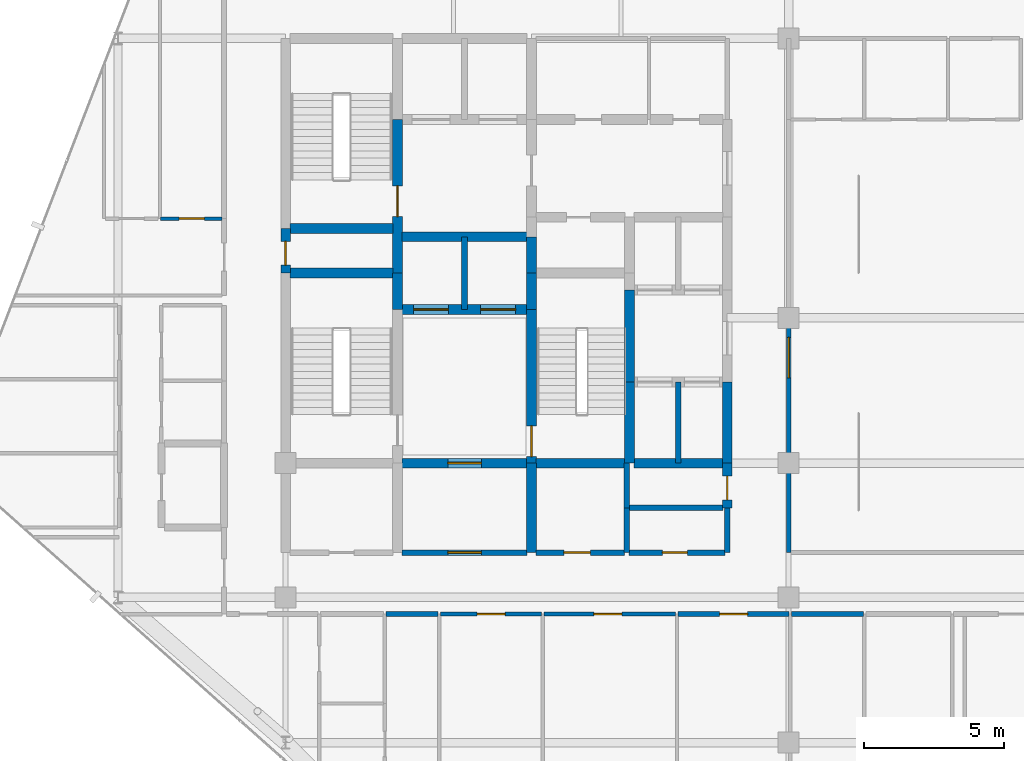
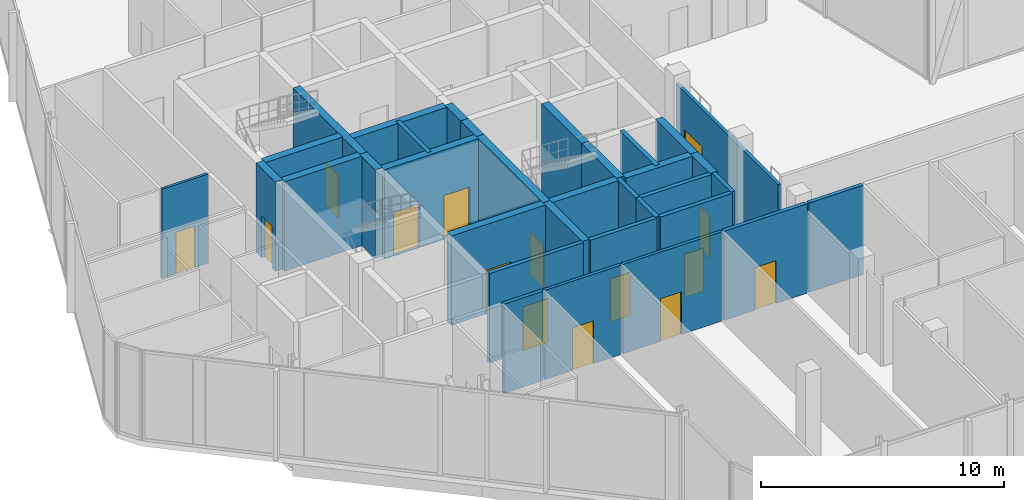
# One storey, part 24 of 29: 34 walls, 15 doors, 15 openings.
"""IFC4 building model written with IfcOpenShell, lengths in metres."""

from ifc_helpers import new_model, si_unit, direction, frame, frame_2d, origin, place, context, subcontext, project, spatial, rectangle, extrude, material, layer, layer_set, type_object, element, fill, save


model = new_model("IFC4")

# Units and contexts
model_context = context("Model", 3, precision=1e-05, world=origin(), true_north=direction((0.0, 1.0)))
body_context = subcontext(model_context, "Body", "Model", "MODEL_VIEW")
ifc_project = project(units=[si_unit("LENGTHUNIT", "METRE"), si_unit("AREAUNIT", "SQUARE_METRE"), si_unit("VOLUMEUNIT", "CUBIC_METRE"), si_unit("PLANEANGLEUNIT", "RADIAN"), si_unit("MASSUNIT", "GRAM", prefix="KILO")], contexts=[model_context])

# Site, building, storey
site_placement = place(None, origin())
site = spatial("IfcSite", under=ifc_project, at=site_placement, CompositionType="ELEMENT")
building_placement = place(site_placement, origin())
building = spatial("IfcBuilding", under=site, at=building_placement, Name="Keshet Zoharim Tower", CompositionType="ELEMENT")
storey_placement = place(building_placement, frame((0.0, 0.0, 218.0)))
storey = spatial("IfcBuildingStorey", under=building, at=storey_placement, Name="L54", CompositionType="ELEMENT", Elevation=218.0)

# Wall, opening, door
ifc_material_1 = material(Name="Gypsum Plasterboard", Category="gypsum")
ifc_layer_1 = layer(ifc_material_1, 0.14990234375)
ifc_layer_set_1 = layer_set([ifc_layer_1], Name="Gypsum Plasterboard")
wall_type_1 = type_object("IfcWallType", Name="WL-CLIN-150", PredefinedType="STANDARD", material=ifc_layer_set_1)
wall_1_placement = place(storey_placement, frame((33.0, 19.5, 0.0), z_axis=(0.0, 0.0, 1.0), x_axis=(0.0, 1.0, 0.0)))
wall_1 = element("IfcWall", 1, at=wall_1_placement, inside=storey, type_object=wall_type_1, Name="L54 Interior Wall 067", PredefinedType="STANDARD", context=body_context, shape_type="SweptSolid", body=[
    extrude(rectangle(XDim=8.39990234375, YDim=0.14990234375, at=frame_2d((4.199951171875, 0.0))), origin(), (0.0, 0.0, 1.0), 4.090087890625),
])
opening_1_placement = place(wall_1_placement, frame((6.2490234375, 0.0, 0.0)))
opening_1 = element("IfcOpeningElement", 2, at=opening_1_placement, cuts=wall_1, Name="Opening D-F314", PredefinedType="OPENING", context=body_context, shape_type="SweptSolid", body=[
    extrude(rectangle(XDim=1.449951171875, YDim=2.199951171875, at=frame_2d((0.72509765625, 1.10009765625))), frame((0.0, 0.0849609375, 0.0), z_axis=(0.0, -1.0, 0.0), x_axis=(1.0, 0.0, 0.0)), (0.0, 0.0, 1.0), 0.169921875),
])
ifc_material_2 = material(Name="Hardwood Timber", Category="wood")
door_type_1 = type_object("IfcDoorType", Name="DR-FD30-145", OperationType="DOUBLE_DOOR_SINGLE_SWING", PredefinedType="DOOR", material=ifc_material_2)
door_1_placement = place(opening_1_placement, origin())
door_1 = element("IfcDoor", 3, at=door_1_placement, inside=storey, type_object=door_type_1, Name="L54 Sky Transfer Lobby Entrance Door", OperationType="DOUBLE_DOOR_SINGLE_SWING", OverallHeight=2.199951171875, OverallWidth=1.449951171875, PredefinedType="DOOR", context=body_context, shape_type="SweptSolid", body=[
    extrude(rectangle(XDim=1.449951171875, YDim=2.199951171875, at=frame_2d((0.72509765625, 1.10009765625))), frame((0.0, 0.02490234375, 0.0), z_axis=(0.0, -1.0, 0.0), x_axis=(1.0, 0.0, 0.0)), (0.0, 0.0, 1.0), 0.050048828125),
])
fill(opening_1, door_1)

wall_2_placement = place(storey_placement, frame((20.544921875, 17.300048828125, 0.0), z_axis=(0.0, 0.0, 1.0), x_axis=(1.0, 0.0, 0.0)))
wall_2 = element("IfcWall", 4, at=wall_2_placement, inside=storey, type_object=wall_type_1, Name="L54 Interior Wall 110", PredefinedType="STANDARD", context=body_context, shape_type="SweptSolid", body=[
    extrude(rectangle(XDim=3.610107421875, YDim=0.14990234375, at=frame_2d((1.80517578125, 0.0))), origin(), (0.0, 0.0, 1.0), 4.489990234375),
])
opening_2_placement = place(wall_2_placement, frame((1.304931640625, 0.0, 0.0)))
opening_2 = element("IfcOpeningElement", 5, at=opening_2_placement, cuts=wall_2, Name="Opening D-F310", PredefinedType="OPENING", context=body_context, shape_type="SweptSolid", body=[
    extrude(rectangle(XDim=1.0, YDim=2.14990234375, at=frame_2d((0.5, 1.074951171875))), frame((0.0, 0.0849609375, 0.0), z_axis=(0.0, -1.0, 0.0), x_axis=(1.0, 0.0, 0.0)), (0.0, 0.0, 1.0), 0.169921875),
])
door_type_2 = type_object("IfcDoorType", Name="DR-FD30-100", OperationType="NOTDEFINED", PredefinedType="DOOR", material=ifc_material_2)
door_2_placement = place(opening_2_placement, origin())
door_2 = element("IfcDoor", 6, at=door_2_placement, inside=storey, type_object=door_type_2, Name="L54 Quiet Telework Office Door", OperationType="SINGLE_SWING_LEFT", OverallHeight=2.14990234375, OverallWidth=1.0, PredefinedType="DOOR", context=body_context, shape_type="SweptSolid", body=[
    extrude(rectangle(XDim=1.0, YDim=2.14990234375, at=frame_2d((0.5, 1.074951171875))), frame((0.0, 0.02490234375, 0.0), z_axis=(0.0, -1.0, 0.0), x_axis=(1.0, 0.0, 0.0)), (0.0, 0.0, 1.0), 0.050048828125),
])
fill(opening_2, door_2)

wall_3_placement = place(storey_placement, frame((24.2451171875, 17.300048828125, 0.0), z_axis=(0.0, 0.0, 1.0), x_axis=(1.0, 0.0, 0.0)))
wall_3 = element("IfcWall", 7, at=wall_3_placement, inside=storey, type_object=wall_type_1, Name="L54 Interior Wall 111", PredefinedType="STANDARD", context=body_context, shape_type="SweptSolid", body=[
    extrude(rectangle(XDim=4.7099609375, YDim=0.14990234375, at=frame_2d((2.35498046875, 0.0))), origin(), (0.0, 0.0, 1.0), 4.489990234375),
])
opening_3_placement = place(wall_3_placement, frame((1.781982421875, 0.0, 0.0)))
opening_3 = element("IfcOpeningElement", 8, at=opening_3_placement, cuts=wall_3, Name="Opening D-F310", PredefinedType="OPENING", context=body_context, shape_type="SweptSolid", body=[
    extrude(rectangle(XDim=1.0, YDim=2.14990234375, at=frame_2d((0.5, 1.074951171875))), frame((0.0, 0.0849609375, 0.0), z_axis=(0.0, -1.0, 0.0), x_axis=(1.0, 0.0, 0.0)), (0.0, 0.0, 1.0), 0.169921875),
])
door_3_placement = place(opening_3_placement, origin())
door_3 = element("IfcDoor", 9, at=door_3_placement, inside=storey, type_object=door_type_2, Name="L54 Residents Game Lounge Door", OperationType="SINGLE_SWING_RIGHT", OverallHeight=2.14990234375, OverallWidth=1.0, PredefinedType="DOOR", context=body_context, shape_type="SweptSolid", body=[
    extrude(rectangle(XDim=1.0, YDim=2.14990234375, at=frame_2d((0.5, 1.074951171875))), frame((0.0, 0.02490234375, 0.0), z_axis=(0.0, -1.0, 0.0), x_axis=(1.0, 0.0, 0.0)), (0.0, 0.0, 1.0), 0.050048828125),
])
fill(opening_3, door_3)

ifc_material_3 = material(Name="Concrete C60/75", Category="concrete")
ifc_layer_2 = layer(ifc_material_3, 0.35009765625)
ifc_layer_set_2 = layer_set([ifc_layer_2], Name="Concrete C60/75")
wall_type_2 = type_object("IfcWallType", Name="WL-CORE-350", PredefinedType="SHEAR", material=ifc_layer_set_2)
wall_4_placement = place(storey_placement, frame((15.0, 29.5, 0.0), z_axis=(0.0, 0.0, 1.0), x_axis=(0.0, 1.0, 0.0)))
wall_4 = element("IfcWall", 10, at=wall_4_placement, inside=storey, type_object=wall_type_2, Name="L54 Core Shear Wall 015", PredefinedType="SHEAR", context=body_context, shape_type="SweptSolid", body=[
    extrude(rectangle(XDim=1.60009765625, YDim=0.35009765625, at=frame_2d((0.800048828125, 0.0))), origin(), (0.0, 0.0, 1.0), 4.489990234375),
])
opening_4_placement = place(wall_4_placement, frame((0.287109375, 0.0, 0.0)))
opening_4 = element("IfcOpeningElement", 11, at=opening_4_placement, cuts=wall_4, Name="Opening D-RS85", PredefinedType="OPENING", context=body_context, shape_type="SweptSolid", body=[
    extrude(rectangle(XDim=0.85009765625, YDim=2.10009765625, at=frame_2d((0.425048828125, 1.050048828125))), frame((0.0, 0.18505859375, 0.0), z_axis=(0.0, -1.0, 0.0), x_axis=(1.0, 0.0, 0.0)), (0.0, 0.0, 1.0), 0.3701171875),
])
door_type_3 = type_object("IfcDoorType", Name="DR-RIS-085", OperationType="NOTDEFINED", PredefinedType="DOOR", material=ifc_material_2)
door_4_placement = place(opening_4_placement, origin())
door_4 = element("IfcDoor", 12, at=door_4_placement, inside=storey, type_object=door_type_3, Name="L54 Electrical Riser Access Cupboard Door", OperationType="SINGLE_SWING_RIGHT", OverallHeight=2.10009765625, OverallWidth=0.85009765625, PredefinedType="DOOR", context=body_context, shape_type="SweptSolid", body=[
    extrude(rectangle(XDim=0.85009765625, YDim=2.10009765625, at=frame_2d((0.425048828125, 1.050048828125))), frame((0.0, 0.02490234375, 0.0), z_axis=(0.0, -1.0, 0.0), x_axis=(1.0, 0.0, 0.0)), (0.0, 0.0, 1.0), 0.050048828125),
])
fill(opening_4, door_4)

# Wall
wall_5_placement = place(storey_placement, frame((19.0, 28.199951171875, 0.0), z_axis=(0.0, 0.0, 1.0), x_axis=(0.0, 1.0, 0.0)))
element("IfcWall", 13, at=wall_5_placement, inside=storey, type_object=wall_type_2, Name="L54 Core Shear Wall 025", PredefinedType="SHEAR", context=body_context, shape_type="SweptSolid", body=[
    extrude(rectangle(XDim=1.300048828125, YDim=0.35009765625, at=frame_2d((0.64990234375, 0.0))), origin(), (0.0, 0.0, 1.0), 4.489990234375),
])

# Wall, opening, door
wall_6_placement = place(storey_placement, frame((19.0, 29.5, 0.0), z_axis=(0.0, 0.0, 1.0), x_axis=(0.0, 1.0, 0.0)))
wall_6 = element("IfcWall", 14, at=wall_6_placement, inside=storey, type_object=wall_type_2, Name="L54 Core Shear Wall 026", PredefinedType="SHEAR", context=body_context, shape_type="SweptSolid", body=[
    extrude(rectangle(XDim=5.5, YDim=0.35009765625, at=frame_2d((2.75, 0.0))), origin(), (0.0, 0.0, 1.0), 4.489990234375),
])
opening_5_placement = place(wall_6_placement, frame((2.02490234375, 0.0, 0.0)))
opening_5 = element("IfcOpeningElement", 15, at=opening_5_placement, cuts=wall_6, Name="Opening D-F611", PredefinedType="OPENING", context=body_context, shape_type="SweptSolid", body=[
    extrude(rectangle(XDim=1.10009765625, YDim=2.14990234375, at=frame_2d((0.550048828125, 1.074951171875))), frame((0.0, 0.18505859375, 0.0), z_axis=(0.0, -1.0, 0.0), x_axis=(1.0, 0.0, 0.0)), (0.0, 0.0, 1.0), 0.3701171875),
])
door_type_4 = type_object("IfcDoorType", Name="DR-FD60-110", OperationType="NOTDEFINED", PredefinedType="DOOR", material=ifc_material_2)
door_5_placement = place(opening_5_placement, origin())
door_5 = element("IfcDoor", 16, at=door_5_placement, inside=storey, type_object=door_type_4, Name="L54 Exit Stair ST-02 Fire Door", OperationType="SINGLE_SWING_LEFT", OverallHeight=2.14990234375, OverallWidth=1.10009765625, PredefinedType="DOOR", context=body_context, shape_type="SweptSolid", body=[
    extrude(rectangle(XDim=1.10009765625, YDim=2.14990234375, at=frame_2d((0.550048828125, 1.074951171875))), frame((0.0, 0.02490234375, 0.0), z_axis=(0.0, -1.0, 0.0), x_axis=(1.0, 0.0, 0.0)), (0.0, 0.0, 1.0), 0.050048828125),
])
fill(opening_5, door_5)

# Wall
wall_7_placement = place(storey_placement, frame((23.800048828125, 19.5, 0.0), z_axis=(0.0, 0.0, 1.0), x_axis=(0.0, 1.0, 0.0)))
element("IfcWall", 17, at=wall_7_placement, inside=storey, type_object=wall_type_2, Name="L54 Core Shear Wall 034", PredefinedType="SHEAR", context=body_context, shape_type="SweptSolid", body=[
    extrude(rectangle(XDim=3.199951171875, YDim=0.35009765625, at=frame_2d((1.60009765625, 0.0))), origin(), (0.0, 0.0, 1.0), 4.489990234375),
])

# Wall, opening, door
wall_8_placement = place(storey_placement, frame((23.800048828125, 22.699951171875, 0.0), z_axis=(0.0, 0.0, 1.0), x_axis=(0.0, 1.0, 0.0)))
wall_8 = element("IfcWall", 18, at=wall_8_placement, inside=storey, type_object=wall_type_2, Name="L54 Core Shear Wall 035", PredefinedType="SHEAR", context=body_context, shape_type="SweptSolid", body=[
    extrude(rectangle(XDim=5.5, YDim=0.35009765625, at=frame_2d((2.75, 0.0))), origin(), (0.0, 0.0, 1.0), 4.489990234375),
])
opening_6_placement = place(wall_8_placement, frame((0.235107421875, 0.0, 0.0)))
opening_6 = element("IfcOpeningElement", 19, at=opening_6_placement, cuts=wall_8, Name="Opening D-F611", PredefinedType="OPENING", context=body_context, shape_type="SweptSolid", body=[
    extrude(rectangle(XDim=1.10009765625, YDim=2.14990234375, at=frame_2d((0.550048828125, 1.074951171875))), frame((0.0, 0.18505859375, 0.0), z_axis=(0.0, -1.0, 0.0), x_axis=(1.0, 0.0, 0.0)), (0.0, 0.0, 1.0), 0.3701171875),
])
door_6_placement = place(opening_6_placement, frame((1.10009765625, 0.0, 0.0), z_axis=(0.0, 0.0, 1.0), x_axis=(-1.0, 0.0, 0.0)))
door_6 = element("IfcDoor", 20, at=door_6_placement, inside=storey, type_object=door_type_4, Name="L54 Exit Stair ST-03 Fire Door", OperationType="SINGLE_SWING_LEFT", OverallHeight=2.14990234375, OverallWidth=1.10009765625, PredefinedType="DOOR", context=body_context, shape_type="SweptSolid", body=[
    extrude(rectangle(XDim=1.10009765625, YDim=2.14990234375, at=frame_2d((0.550048828125, 1.074951171875))), frame((0.0, 0.02490234375, 0.0), z_axis=(0.0, -1.0, 0.0), x_axis=(1.0, 0.0, 0.0)), (0.0, 0.0, 1.0), 0.050048828125),
])
fill(opening_6, door_6)

# Walls
for number, where, z_axis, x_axis, name in (
    (21, (23.800048828125, 28.199951171875, 0.0), (0.0, 0.0, 1.0), (0.0, 1.0, 0.0), "L54 Core Shear Wall 036"),
    (22, (23.800048828125, 29.5, 0.0), (0.0, 0.0, 1.0), (0.0, 1.0, 0.0), "L54 Core Shear Wall 037"),
):
    element("IfcWall", number, at=place(storey_placement, frame(where, z_axis=z_axis, x_axis=x_axis)), inside=storey, type_object=wall_type_2, Name=name, PredefinedType="SHEAR", context=body_context, shape_type="SweptSolid", body=[
        extrude(rectangle(XDim=1.300048828125, YDim=0.35009765625, at=frame_2d((0.64990234375, 0.0))), origin(), (0.0, 0.0, 1.0), 4.489990234375),
    ])
wall_9_placement = place(storey_placement, frame((27.300048828125, 22.699951171875, 0.0), z_axis=(0.0, 0.0, 1.0), x_axis=(0.0, 1.0, 0.0)))
element("IfcWall", 23, at=wall_9_placement, inside=storey, type_object=wall_type_2, Name="L54 Core Shear Wall 047", PredefinedType="SHEAR", context=body_context, shape_type="SweptSolid", body=[
    extrude(rectangle(XDim=2.900146484375, YDim=0.35009765625, at=frame_2d((1.4501953125, 0.0))), origin(), (0.0, 0.0, 1.0), 4.489990234375),
])
wall_10_placement = place(storey_placement, frame((27.300048828125, 25.60009765625, 0.0), z_axis=(0.0, 0.0, 1.0), x_axis=(0.0, 1.0, 0.0)))
element("IfcWall", 24, at=wall_10_placement, inside=storey, type_object=wall_type_2, Name="L54 Core Shear Wall 048", PredefinedType="SHEAR", context=body_context, shape_type="SweptSolid", body=[
    extrude(rectangle(XDim=3.2998046875, YDim=0.35009765625, at=frame_2d((1.64990234375, 0.0))), origin(), (0.0, 0.0, 1.0), 4.489990234375),
])

# Wall, opening, door
wall_11_placement = place(storey_placement, frame((30.800048828125, 21.10009765625, 0.0), z_axis=(0.0, 0.0, 1.0), x_axis=(0.0, 1.0, 0.0)))
wall_11 = element("IfcWall", 25, at=wall_11_placement, inside=storey, type_object=wall_type_2, Name="L54 Core Shear Wall 058", PredefinedType="SHEAR", context=body_context, shape_type="SweptSolid", body=[
    extrude(rectangle(XDim=1.599853515625, YDim=0.35009765625, at=frame_2d((0.7998046875, 0.0))), origin(), (0.0, 0.0, 1.0), 4.489990234375),
])
opening_7_placement = place(wall_11_placement, frame((0.287109375, 0.0, 0.0)))
opening_7 = element("IfcOpeningElement", 26, at=opening_7_placement, cuts=wall_11, Name="Opening D-RS85", PredefinedType="OPENING", context=body_context, shape_type="SweptSolid", body=[
    extrude(rectangle(XDim=0.85009765625, YDim=2.10009765625, at=frame_2d((0.425048828125, 1.050048828125))), frame((0.0, 0.18505859375, 0.0), z_axis=(0.0, -1.0, 0.0), x_axis=(1.0, 0.0, 0.0)), (0.0, 0.0, 1.0), 0.3701171875),
])
door_7_placement = place(opening_7_placement, origin())
door_7 = element("IfcDoor", 27, at=door_7_placement, inside=storey, type_object=door_type_3, Name="L54 Linen Store Door", OperationType="SINGLE_SWING_LEFT", OverallHeight=2.10009765625, OverallWidth=0.85009765625, PredefinedType="DOOR", context=body_context, shape_type="SweptSolid", body=[
    extrude(rectangle(XDim=0.85009765625, YDim=2.10009765625, at=frame_2d((0.425048828125, 1.050048828125))), frame((0.0, 0.02490234375, 0.0), z_axis=(0.0, -1.0, 0.0), x_axis=(1.0, 0.0, 0.0)), (0.0, 0.0, 1.0), 0.050048828125),
])
fill(opening_7, door_7)

# Wall
wall_12_placement = place(storey_placement, frame((30.800048828125, 22.699951171875, 0.0), z_axis=(0.0, 0.0, 1.0), x_axis=(0.0, 1.0, 0.0)))
element("IfcWall", 28, at=wall_12_placement, inside=storey, type_object=wall_type_2, Name="L54 Core Shear Wall 059", PredefinedType="SHEAR", context=body_context, shape_type="SweptSolid", body=[
    extrude(rectangle(XDim=2.900146484375, YDim=0.35009765625, at=frame_2d((1.4501953125, 0.0))), origin(), (0.0, 0.0, 1.0), 4.489990234375),
])

# Wall, opening, door
wall_13_placement = place(storey_placement, frame((19.159912109375, 22.699951171875, 0.0), z_axis=(0.0, 0.0, 1.0), x_axis=(1.0, 0.0, 0.0)))
wall_13 = element("IfcWall", 29, at=wall_13_placement, inside=storey, type_object=wall_type_2, Name="L54 Core Shear Wall 129", PredefinedType="SHEAR", context=body_context, shape_type="SweptSolid", body=[
    extrude(rectangle(XDim=4.47998046875, YDim=0.35009765625, at=frame_2d((2.239990234375, 0.0))), origin(), (0.0, 0.0, 1.0), 4.489990234375),
])
opening_8_placement = place(wall_13_placement, frame((1.639892578125, 0.0, 0.0)))
opening_8 = element("IfcOpeningElement", 30, at=opening_8_placement, cuts=wall_13, Name="Opening D-F612", PredefinedType="OPENING", context=body_context, shape_type="SweptSolid", body=[
    extrude(rectangle(XDim=1.199951171875, YDim=2.199951171875, at=frame_2d((0.60009765625, 1.10009765625))), frame((0.0, 0.18505859375, 0.0), z_axis=(0.0, -1.0, 0.0), x_axis=(1.0, 0.0, 0.0)), (0.0, 0.0, 1.0), 0.3701171875),
])
door_type_5 = type_object("IfcDoorType", Name="DR-FD60-120", OperationType="NOTDEFINED", PredefinedType="DOOR", material=ifc_material_2)
door_8_placement = place(opening_8_placement, origin())
door_8 = element("IfcDoor", 31, at=door_8_placement, inside=storey, type_object=door_type_5, Name="L54 South Core Lobby Fire Door", OperationType="SINGLE_SWING_RIGHT", OverallHeight=2.199951171875, OverallWidth=1.199951171875, PredefinedType="DOOR", context=body_context, shape_type="SweptSolid", body=[
    extrude(rectangle(XDim=1.199951171875, YDim=2.199951171875, at=frame_2d((0.60009765625, 1.10009765625))), frame((0.0, 0.02490234375, 0.0), z_axis=(0.0, -1.0, 0.0), x_axis=(1.0, 0.0, 0.0)), (0.0, 0.0, 1.0), 0.050048828125),
])
fill(opening_8, door_8)

# Walls
wall_14_placement = place(storey_placement, frame((23.9599609375, 22.699951171875, 0.0), z_axis=(0.0, 0.0, 1.0), x_axis=(1.0, 0.0, 0.0)))
element("IfcWall", 32, at=wall_14_placement, inside=storey, type_object=wall_type_2, Name="L54 Core Shear Wall 130", PredefinedType="SHEAR", context=body_context, shape_type="SweptSolid", body=[
    extrude(rectangle(XDim=3.155029296875, YDim=0.35009765625, at=frame_2d((1.57763671875, 0.0))), origin(), (0.0, 0.0, 1.0), 4.489990234375),
])
wall_15_placement = place(storey_placement, frame((27.4599609375, 22.699951171875, 0.0), z_axis=(0.0, 0.0, 1.0), x_axis=(1.0, 0.0, 0.0)))
element("IfcWall", 33, at=wall_15_placement, inside=storey, type_object=wall_type_2, Name="L54 Core Shear Wall 131", PredefinedType="SHEAR", context=body_context, shape_type="SweptSolid", body=[
    extrude(rectangle(XDim=3.179931640625, YDim=0.35009765625, at=frame_2d((1.58984375, 0.0))), origin(), (0.0, 0.0, 1.0), 4.489990234375),
])

# Wall, openings, doors
wall_16_placement = place(storey_placement, frame((19.159912109375, 28.199951171875, 0.0), z_axis=(0.0, 0.0, 1.0), x_axis=(1.0, 0.0, 0.0)))
wall_16 = element("IfcWall", 34, at=wall_16_placement, inside=storey, type_object=wall_type_2, Name="L54 Core Shear Wall 137", PredefinedType="SHEAR", context=body_context, shape_type="SweptSolid", body=[
    extrude(rectangle(XDim=4.47998046875, YDim=0.35009765625, at=frame_2d((2.239990234375, 0.0))), origin(), (0.0, 0.0, 1.0), 4.489990234375),
])
opening_9_placement = place(wall_16_placement, frame((0.4150390625, 0.0, 0.0)))
opening_9 = element("IfcOpeningElement", 35, at=opening_9_placement, cuts=wall_16, Name="Opening LD-01", PredefinedType="OPENING", context=body_context, shape_type="SweptSolid", body=[
    extrude(rectangle(XDim=1.25, YDim=2.199951171875, at=frame_2d((0.625, 1.10009765625))), frame((0.0, 0.18505859375, 0.0), z_axis=(0.0, -1.0, 0.0), x_axis=(1.0, 0.0, 0.0)), (0.0, 0.0, 1.0), 0.3701171875),
])
opening_10_placement = place(wall_16_placement, frame((2.81494140625, 0.0, 0.0)))
opening_10 = element("IfcOpeningElement", 36, at=opening_10_placement, cuts=wall_16, Name="Opening LD-01", PredefinedType="OPENING", context=body_context, shape_type="SweptSolid", body=[
    extrude(rectangle(XDim=1.25, YDim=2.199951171875, at=frame_2d((0.625, 1.10009765625))), frame((0.0, 0.18505859375, 0.0), z_axis=(0.0, -1.0, 0.0), x_axis=(1.0, 0.0, 0.0)), (0.0, 0.0, 1.0), 0.3701171875),
])
ifc_material_4 = material(Name="Steel S355", Category="steel")
door_type_6 = type_object("IfcDoorType", Name="DR-LD01-125", OperationType="DOUBLE_DOOR_SLIDING", PredefinedType="DOOR", material=ifc_material_4)
door_9_placement = place(opening_9_placement, origin())
door_9 = element("IfcDoor", 37, at=door_9_placement, inside=storey, type_object=door_type_6, Name="L54 Passenger Lift Landing Door LF-09", OperationType="DOUBLE_DOOR_SLIDING", OverallHeight=2.199951171875, OverallWidth=1.25, PredefinedType="DOOR", context=body_context, shape_type="SweptSolid", body=[
    extrude(rectangle(XDim=1.25, YDim=2.199951171875, at=frame_2d((0.625, 1.10009765625))), frame((0.0, 0.02490234375, 0.0), z_axis=(0.0, -1.0, 0.0), x_axis=(1.0, 0.0, 0.0)), (0.0, 0.0, 1.0), 0.050048828125),
])
fill(opening_9, door_9)
door_10_placement = place(opening_10_placement, origin())
door_10 = element("IfcDoor", 38, at=door_10_placement, inside=storey, type_object=door_type_6, Name="L54 Passenger Lift Landing Door LF-10", OperationType="DOUBLE_DOOR_SLIDING", OverallHeight=2.199951171875, OverallWidth=1.25, PredefinedType="DOOR", context=body_context, shape_type="SweptSolid", body=[
    extrude(rectangle(XDim=1.25, YDim=2.199951171875, at=frame_2d((0.625, 1.10009765625))), frame((0.0, 0.02490234375, 0.0), z_axis=(0.0, -1.0, 0.0), x_axis=(1.0, 0.0, 0.0)), (0.0, 0.0, 1.0), 0.050048828125),
])
fill(opening_10, door_10)

# Walls
wall_17_placement = place(storey_placement, frame((15.159912109375, 29.5, 0.0), z_axis=(0.0, 0.0, 1.0), x_axis=(1.0, 0.0, 0.0)))
element("IfcWall", 39, at=wall_17_placement, inside=storey, type_object=wall_type_2, Name="L54 Core Shear Wall 143", PredefinedType="SHEAR", context=body_context, shape_type="SweptSolid", body=[
    extrude(rectangle(XDim=3.68017578125, YDim=0.35009765625, at=frame_2d((1.840087890625, 0.0))), origin(), (0.0, 0.0, 1.0), 4.489990234375),
])
wall_18_placement = place(storey_placement, frame((19.159912109375, 30.800048828125, 0.0), z_axis=(0.0, 0.0, 1.0), x_axis=(1.0, 0.0, 0.0)))
element("IfcWall", 40, at=wall_18_placement, inside=storey, type_object=wall_type_2, Name="L54 Core Shear Wall 145", PredefinedType="SHEAR", context=body_context, shape_type="SweptSolid", body=[
    extrude(rectangle(XDim=4.47998046875, YDim=0.35009765625, at=frame_2d((2.239990234375, 0.0))), origin(), (0.0, 0.0, 1.0), 4.489990234375),
])
wall_19_placement = place(storey_placement, frame((15.159912109375, 31.10009765625, 0.0), z_axis=(0.0, 0.0, 1.0), x_axis=(1.0, 0.0, 0.0)))
element("IfcWall", 41, at=wall_19_placement, inside=storey, type_object=wall_type_2, Name="L54 Core Shear Wall 146", PredefinedType="SHEAR", context=body_context, shape_type="SweptSolid", body=[
    extrude(rectangle(XDim=3.68017578125, YDim=0.35009765625, at=frame_2d((1.840087890625, 0.0))), origin(), (0.0, 0.0, 1.0), 4.489990234375),
])
ifc_layer_3 = layer(ifc_material_1, 0.179931640625)
ifc_layer_set_3 = layer_set([ifc_layer_3], Name="Gypsum Plasterboard")
wall_type_3 = type_object("IfcWallType", Name="WL-CORR-180", PredefinedType="STANDARD", material=ifc_layer_set_3)
wall_20_placement = place(storey_placement, frame((18.594970703125, 17.300048828125, 0.0), z_axis=(0.0, 0.0, 1.0), x_axis=(1.0, 0.0, 0.0)))
element("IfcWall", 42, at=wall_20_placement, inside=storey, type_object=wall_type_3, Name="L54 Interior Wall 109", PredefinedType="STANDARD", context=body_context, shape_type="SweptSolid", body=[
    extrude(rectangle(XDim=1.860107421875, YDim=0.179931640625, at=frame_2d((0.93017578125, 0.0))), origin(), (0.0, 0.0, 1.0), 4.489990234375),
])

# Wall, opening, door
wall_21_placement = place(storey_placement, frame((29.044921875, 17.300048828125, 0.0), z_axis=(0.0, 0.0, 1.0), x_axis=(1.0, 0.0, 0.0)))
wall_21 = element("IfcWall", 43, at=wall_21_placement, inside=storey, type_object=wall_type_3, Name="L54 Interior Wall 112", PredefinedType="STANDARD", context=body_context, shape_type="SweptSolid", body=[
    extrude(rectangle(XDim=3.9599609375, YDim=0.179931640625, at=frame_2d((1.97998046875, 0.0))), origin(), (0.0, 0.0, 1.0), 4.489990234375),
])
opening_11_placement = place(wall_21_placement, frame((1.47998046875, 0.0, 0.0)))
opening_11 = element("IfcOpeningElement", 44, at=opening_11_placement, cuts=wall_21, Name="Opening D-F310", PredefinedType="OPENING", context=body_context, shape_type="SweptSolid", body=[
    extrude(rectangle(XDim=1.0, YDim=2.14990234375, at=frame_2d((0.5, 1.074951171875))), frame((0.0, 0.10009765625, 0.0), z_axis=(0.0, -1.0, 0.0), x_axis=(1.0, 0.0, 0.0)), (0.0, 0.0, 1.0), 0.199951171875),
])
door_11_placement = place(opening_11_placement, origin())
door_11 = element("IfcDoor", 45, at=door_11_placement, inside=storey, type_object=door_type_2, Name="Apartment 5402 Entrance Door", OperationType="SINGLE_SWING_LEFT", OverallHeight=2.14990234375, OverallWidth=1.0, PredefinedType="DOOR", context=body_context, shape_type="SweptSolid", body=[
    extrude(rectangle(XDim=1.0, YDim=2.14990234375, at=frame_2d((0.5, 1.074951171875))), frame((0.0, 0.02490234375, 0.0), z_axis=(0.0, -1.0, 0.0), x_axis=(1.0, 0.0, 0.0)), (0.0, 0.0, 1.0), 0.050048828125),
])
fill(opening_11, door_11)

# Walls
wall_22_placement = place(storey_placement, frame((33.094970703125, 17.300048828125, 0.0), z_axis=(0.0, 0.0, 1.0), x_axis=(1.0, 0.0, 0.0)))
element("IfcWall", 46, at=wall_22_placement, inside=storey, type_object=wall_type_3, Name="L54 Interior Wall 113", PredefinedType="STANDARD", context=body_context, shape_type="SweptSolid", body=[
    extrude(rectangle(XDim=2.578125, YDim=0.179931640625, at=frame_2d((1.2890625, 0.0))), origin(), (0.0, 0.0, 1.0), 4.489990234375),
])
ifc_material_5 = material(Name="Concrete C50/60", Category="concrete")
ifc_layer_4 = layer(ifc_material_5, 0.199951171875)
ifc_layer_set_4 = layer_set([ifc_layer_4], Name="Concrete C50/60")
wall_type_4 = type_object("IfcWallType", Name="WL-FIRE-200", PredefinedType="STANDARD", material=ifc_layer_set_4)
wall_23_placement = place(storey_placement, frame((21.39990234375, 28.199951171875, 0.0), z_axis=(0.0, 0.0, 1.0), x_axis=(0.0, 1.0, 0.0)))
element("IfcWall", 47, at=wall_23_placement, inside=storey, type_object=wall_type_4, Name="L54 Interior Wall 031", PredefinedType="STANDARD", context=body_context, shape_type="SweptSolid", body=[
    extrude(rectangle(XDim=2.60009765625, YDim=0.199951171875, at=frame_2d((1.300048828125, 0.0))), origin(), (0.0, 0.0, 1.0), 4.489990234375),
])
wall_24_placement = place(storey_placement, frame((27.199951171875, 19.5, 0.0), z_axis=(0.0, 0.0, 1.0), x_axis=(0.0, 1.0, 0.0)))
element("IfcWall", 48, at=wall_24_placement, inside=storey, type_object=wall_type_4, Name="L54 Interior Wall 045", PredefinedType="STANDARD", context=body_context, shape_type="SweptSolid", body=[
    extrude(rectangle(XDim=1.60009765625, YDim=0.199951171875, at=frame_2d((0.800048828125, 0.0))), origin(), (0.0, 0.0, 1.0), 4.489990234375),
])
wall_25_placement = place(storey_placement, frame((27.199951171875, 21.10009765625, 0.0), z_axis=(0.0, 0.0, 1.0), x_axis=(0.0, 1.0, 0.0)))
element("IfcWall", 49, at=wall_25_placement, inside=storey, type_object=wall_type_4, Name="L54 Interior Wall 046", PredefinedType="STANDARD", context=body_context, shape_type="SweptSolid", body=[
    extrude(rectangle(XDim=1.599853515625, YDim=0.199951171875, at=frame_2d((0.7998046875, 0.0))), origin(), (0.0, 0.0, 1.0), 4.489990234375),
])
wall_26_placement = place(storey_placement, frame((29.050048828125, 22.699951171875, 0.0), z_axis=(0.0, 0.0, 1.0), x_axis=(0.0, 1.0, 0.0)))
element("IfcWall", 50, at=wall_26_placement, inside=storey, type_object=wall_type_4, Name="L54 Interior Wall 053", PredefinedType="STANDARD", context=body_context, shape_type="SweptSolid", body=[
    extrude(rectangle(XDim=2.900146484375, YDim=0.199951171875, at=frame_2d((1.4501953125, 0.0))), origin(), (0.0, 0.0, 1.0), 4.489990234375),
])
wall_27_placement = place(storey_placement, frame((30.800048828125, 19.5, 0.0), z_axis=(0.0, 0.0, 1.0), x_axis=(0.0, 1.0, 0.0)))
element("IfcWall", 51, at=wall_27_placement, inside=storey, type_object=wall_type_4, Name="L54 Interior Wall 057", PredefinedType="STANDARD", context=body_context, shape_type="SweptSolid", body=[
    extrude(rectangle(XDim=1.60009765625, YDim=0.199951171875, at=frame_2d((0.800048828125, 0.0))), origin(), (0.0, 0.0, 1.0), 4.489990234375),
])

# Wall, opening, door
wall_28_placement = place(storey_placement, frame((19.159912109375, 19.5, 0.0), z_axis=(0.0, 0.0, 1.0), x_axis=(1.0, 0.0, 0.0)))
wall_28 = element("IfcWall", 52, at=wall_28_placement, inside=storey, type_object=wall_type_4, Name="L54 Interior Wall 120", PredefinedType="STANDARD", context=body_context, shape_type="SweptSolid", body=[
    extrude(rectangle(XDim=4.47998046875, YDim=0.199951171875, at=frame_2d((2.239990234375, 0.0))), origin(), (0.0, 0.0, 1.0), 4.489990234375),
])
opening_12_placement = place(wall_28_placement, frame((1.639892578125, 0.0, 0.0)))
opening_12 = element("IfcOpeningElement", 53, at=opening_12_placement, cuts=wall_28, Name="Opening D-F612", PredefinedType="OPENING", context=body_context, shape_type="SweptSolid", body=[
    extrude(rectangle(XDim=1.199951171875, YDim=2.199951171875, at=frame_2d((0.60009765625, 1.10009765625))), frame((0.0, 0.10986328125, 0.0), z_axis=(0.0, -1.0, 0.0), x_axis=(1.0, 0.0, 0.0)), (0.0, 0.0, 1.0), 0.219970703125),
])
door_12_placement = place(opening_12_placement, origin())
door_12 = element("IfcDoor", 54, at=door_12_placement, inside=storey, type_object=door_type_5, Name="L54 South Vestibule Corridor Door", OperationType="SINGLE_SWING_LEFT", OverallHeight=2.199951171875, OverallWidth=1.199951171875, PredefinedType="DOOR", context=body_context, shape_type="SweptSolid", body=[
    extrude(rectangle(XDim=1.199951171875, YDim=2.199951171875, at=frame_2d((0.60009765625, 1.10009765625))), frame((0.0, 0.02490234375, 0.0), z_axis=(0.0, -1.0, 0.0), x_axis=(1.0, 0.0, 0.0)), (0.0, 0.0, 1.0), 0.050048828125),
])
fill(opening_12, door_12)

wall_29_placement = place(storey_placement, frame((23.9599609375, 19.5, 0.0), z_axis=(0.0, 0.0, 1.0), x_axis=(1.0, 0.0, 0.0)))
wall_29 = element("IfcWall", 55, at=wall_29_placement, inside=storey, type_object=wall_type_4, Name="L54 Interior Wall 121", PredefinedType="STANDARD", context=body_context, shape_type="SweptSolid", body=[
    extrude(rectangle(XDim=3.155029296875, YDim=0.199951171875, at=frame_2d((1.57763671875, 0.0))), origin(), (0.0, 0.0, 1.0), 4.489990234375),
])
opening_13_placement = place(wall_29_placement, frame((0.990966796875, 0.0, 0.0)))
opening_13 = element("IfcOpeningElement", 56, at=opening_13_placement, cuts=wall_29, Name="Opening D-F695", PredefinedType="OPENING", context=body_context, shape_type="SweptSolid", body=[
    extrude(rectangle(XDim=0.949951171875, YDim=2.14990234375, at=frame_2d((0.47509765625, 1.074951171875))), frame((0.0, 0.10986328125, 0.0), z_axis=(0.0, -1.0, 0.0), x_axis=(1.0, 0.0, 0.0)), (0.0, 0.0, 1.0), 0.219970703125),
])
door_type_7 = type_object("IfcDoorType", Name="DR-FD60-095", OperationType="NOTDEFINED", PredefinedType="DOOR", material=ifc_material_2)
door_13_placement = place(opening_13_placement, origin())
door_13 = element("IfcDoor", 57, at=door_13_placement, inside=storey, type_object=door_type_7, Name="L54 Utility Room Door", OperationType="SINGLE_SWING_RIGHT", OverallHeight=2.14990234375, OverallWidth=0.949951171875, PredefinedType="DOOR", context=body_context, shape_type="SweptSolid", body=[
    extrude(rectangle(XDim=0.949951171875, YDim=2.14990234375, at=frame_2d((0.47509765625, 1.074951171875))), frame((0.0, 0.02490234375, 0.0), z_axis=(0.0, -1.0, 0.0), x_axis=(1.0, 0.0, 0.0)), (0.0, 0.0, 1.0), 0.050048828125),
])
fill(opening_13, door_13)

wall_30_placement = place(storey_placement, frame((27.284912109375, 19.5, 0.0), z_axis=(0.0, 0.0, 1.0), x_axis=(1.0, 0.0, 0.0)))
wall_30 = element("IfcWall", 58, at=wall_30_placement, inside=storey, type_object=wall_type_4, Name="L54 Interior Wall 122", PredefinedType="STANDARD", context=body_context, shape_type="SweptSolid", body=[
    extrude(rectangle(XDim=3.43017578125, YDim=0.199951171875, at=frame_2d((1.715087890625, 0.0))), origin(), (0.0, 0.0, 1.0), 4.489990234375),
])
opening_14_placement = place(wall_30_placement, frame((1.19189453125, 0.0, 0.0)))
opening_14 = element("IfcOpeningElement", 59, at=opening_14_placement, cuts=wall_30, Name="Opening D-F690", PredefinedType="OPENING", context=body_context, shape_type="SweptSolid", body=[
    extrude(rectangle(XDim=0.89990234375, YDim=2.14990234375, at=frame_2d((0.449951171875, 1.074951171875))), frame((0.0, 0.10986328125, 0.0), z_axis=(0.0, -1.0, 0.0), x_axis=(1.0, 0.0, 0.0)), (0.0, 0.0, 1.0), 0.219970703125),
])
door_type_8 = type_object("IfcDoorType", Name="DR-FD60-090", OperationType="NOTDEFINED", PredefinedType="DOOR", material=ifc_material_2)
door_14_placement = place(opening_14_placement, origin())
door_14 = element("IfcDoor", 60, at=door_14_placement, inside=storey, type_object=door_type_8, Name="L54 Valve Room Door", OperationType="SINGLE_SWING_LEFT", OverallHeight=2.14990234375, OverallWidth=0.89990234375, PredefinedType="DOOR", context=body_context, shape_type="SweptSolid", body=[
    extrude(rectangle(XDim=0.89990234375, YDim=2.14990234375, at=frame_2d((0.449951171875, 1.074951171875))), frame((0.0, 0.02490234375, 0.0), z_axis=(0.0, -1.0, 0.0), x_axis=(1.0, 0.0, 0.0)), (0.0, 0.0, 1.0), 0.050048828125),
])
fill(opening_14, door_14)

# Wall
wall_31_placement = place(storey_placement, frame((27.284912109375, 21.10009765625, 0.0), z_axis=(0.0, 0.0, 1.0), x_axis=(1.0, 0.0, 0.0)))
element("IfcWall", 61, at=wall_31_placement, inside=storey, type_object=wall_type_4, Name="L54 Interior Wall 127", PredefinedType="STANDARD", context=body_context, shape_type="SweptSolid", body=[
    extrude(rectangle(XDim=3.35498046875, YDim=0.199951171875, at=frame_2d((1.677490234375, 0.0))), origin(), (0.0, 0.0, 1.0), 4.489990234375),
])

# Wall, opening, door
ifc_layer_5 = layer(ifc_material_1, 0.1201171875)
ifc_layer_set_5 = layer_set([ifc_layer_5], Name="Gypsum Plasterboard")
wall_type_5 = type_object("IfcWallType", Name="WL-WET-120", PredefinedType="PARTITIONING", material=ifc_layer_set_5)
wall_32_placement = place(storey_placement, frame((10.52294921875, 31.449951171875, 0.0), z_axis=(0.0, 0.0, 1.0), x_axis=(1.0, 0.0, 0.0)))
wall_32 = element("IfcWall", 62, at=wall_32_placement, inside=storey, type_object=wall_type_5, Name="L54 Interior Wall 148", PredefinedType="PARTITIONING", context=body_context, shape_type="SweptSolid", body=[
    extrude(rectangle(XDim=2.2021484375, YDim=0.1201171875, at=frame_2d((1.10107421875, 0.0))), origin(), (0.0, 0.0, 1.0), 4.489990234375),
])
opening_15_placement = place(wall_32_placement, frame((0.666015625, 0.0, 0.0)))
opening_15 = element("IfcOpeningElement", 63, at=opening_15_placement, cuts=wall_32, Name="Opening D-WT90", PredefinedType="OPENING", context=body_context, shape_type="SweptSolid", body=[
    extrude(rectangle(XDim=0.89990234375, YDim=2.10009765625, at=frame_2d((0.449951171875, 1.050048828125))), frame((0.0, 0.070068359375, 0.0), z_axis=(0.0, -1.0, 0.0), x_axis=(1.0, 0.0, 0.0)), (0.0, 0.0, 1.0), 0.14013671875),
])
door_type_9 = type_object("IfcDoorType", Name="DR-WET-090", OperationType="NOTDEFINED", PredefinedType="DOOR", material=ifc_material_2)
door_15_placement = place(opening_15_placement, origin())
door_15 = element("IfcDoor", 64, at=door_15_placement, inside=storey, type_object=door_type_9, Name="Apartment 5409 Bathroom Door", OperationType="SINGLE_SWING_RIGHT", OverallHeight=2.10009765625, OverallWidth=0.89990234375, PredefinedType="DOOR", context=body_context, shape_type="SweptSolid", body=[
    extrude(rectangle(XDim=0.89990234375, YDim=2.10009765625, at=frame_2d((0.449951171875, 1.050048828125))), frame((0.0, 0.02490234375, 0.0), z_axis=(0.0, -1.0, 0.0), x_axis=(1.0, 0.0, 0.0)), (0.0, 0.0, 1.0), 0.050048828125),
])
fill(opening_15, door_15)

save(model, "model.ifc")
